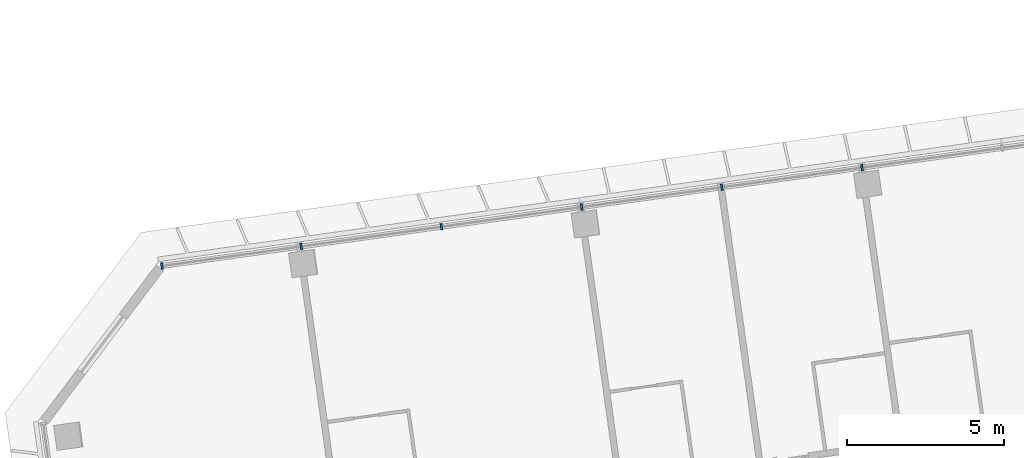
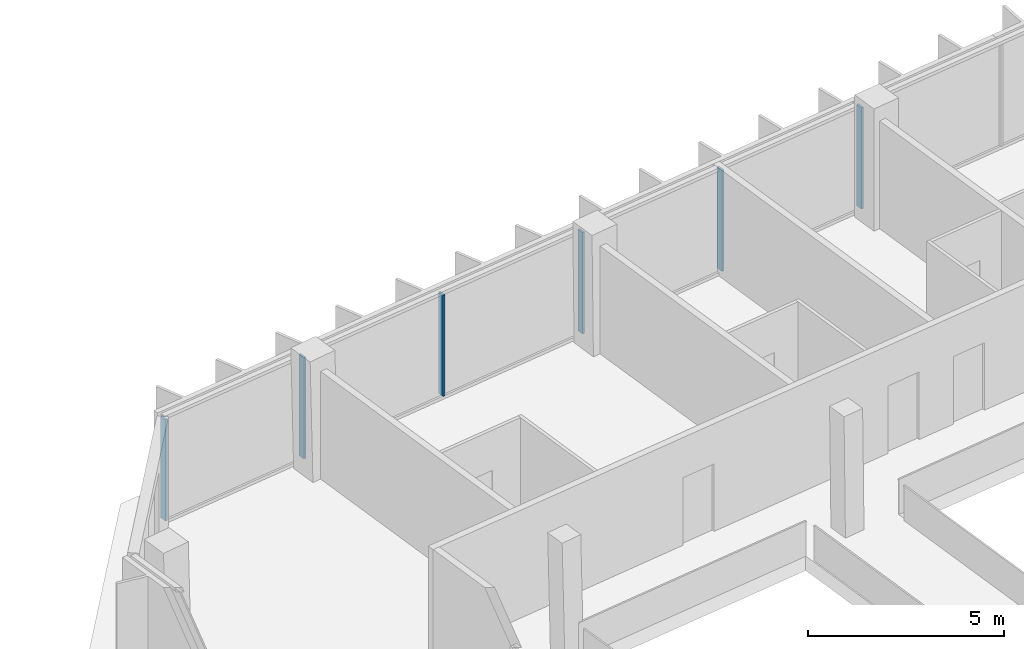
# One storey, part 11 of 28: 6 members, 1 element without a shape of its own.
"""IFC4 building model written with IfcOpenShell, lengths in metres."""

from ifc_helpers import new_model, si_unit, direction, frame, origin, origin_2d, place, context, subcontext, project, spatial, rectangle, extrude, material, material_profile, profile_set, type_object, element, aggregate, save


model = new_model("IFC4")

# Units and contexts
model_context = context("Model", 3, precision=1e-05, world=origin(), true_north=direction((0.0, 1.0)))
body_context = subcontext(model_context, "Body", "Model", "MODEL_VIEW")
ifc_project = project(units=[si_unit("LENGTHUNIT", "METRE"), si_unit("AREAUNIT", "SQUARE_METRE"), si_unit("VOLUMEUNIT", "CUBIC_METRE"), si_unit("PLANEANGLEUNIT", "RADIAN"), si_unit("MASSUNIT", "GRAM", prefix="KILO")], contexts=[model_context])

# Site, building, storey
site_placement = place(None, origin())
site = spatial("IfcSite", under=ifc_project, at=site_placement, CompositionType="ELEMENT")
building_placement = place(site_placement, origin())
building = spatial("IfcBuilding", under=site, at=building_placement, Name="Mirante Cascada Hotel Towers", CompositionType="ELEMENT")
storey_placement = place(building_placement, frame((0.0, 0.0, 165.0)))
storey = spatial("IfcBuildingStorey", under=building, at=storey_placement, Name="L38", CompositionType="ELEMENT", Elevation=165.0)

# Curtain wall, members
ifc_material_1 = material(Name="Aluminium mullion and transom frame with clear laminated glass", Category="aluminium")
curtain_wall_type = type_object("IfcCurtainWallType", Name="Ribbon curtain wall ECW1", PredefinedType="NOTDEFINED", material=ifc_material_1)
curtain_wall_placement = place(storey_placement, origin())
curtain_wall = element("IfcCurtainWall", 1, at=curtain_wall_placement, inside=storey, type_object=curtain_wall_type, Name="Front ribbon wall T2 L38", PredefinedType="NOTDEFINED")
ifc_material_2 = material(Name="Anodised aluminium extrusion", Category="aluminium")
ifc_material_profile = material_profile(ifc_material_2, rectangle(XDim=0.2, YDim=0.065, at=origin_2d()), Name="ECW1 MULLION 65x200")
ifc_profile_set = profile_set([ifc_material_profile], Name="Anodised aluminium extrusion")
member_type = type_object("IfcMemberType", Name="ECW1 mullion 65x200", PredefinedType="MULLION", material=ifc_profile_set)
member_1_placement = place(storey_placement, frame((54.0069, 20.4092, 0.1), z_axis=(0.0, 0.0, 1.0), x_axis=(0.1391731, -0.9902681, 0.0)))
member_1 = element("IfcMember", 2, at=member_1_placement, type_object=member_type, Name="ECW1 mullion 8", PredefinedType="MULLION", context=body_context, shape_type="SweptSolid", body=[
    extrude(rectangle(XDim=0.2, YDim=0.065, at=origin_2d()), origin(), (0.0, 0.0, 1.0), 3.15),
])
member_2_placement = place(storey_placement, frame((49.5442, 19.782, 0.1), z_axis=(0.0, 0.0, 1.0), x_axis=(0.1391731, -0.9902681, 0.0)))
member_2 = element("IfcMember", 3, at=member_2_placement, type_object=member_type, Name="ECW1 mullion 9", PredefinedType="MULLION", context=body_context, shape_type="SweptSolid", body=[
    extrude(rectangle(XDim=0.2, YDim=0.065, at=origin_2d()), origin(), (0.0, 0.0, 1.0), 3.15),
])
member_3_placement = place(storey_placement, frame((45.0815, 19.1548, 0.1), z_axis=(0.0, 0.0, 1.0), x_axis=(0.1391731, -0.9902681, 0.0)))
member_3 = element("IfcMember", 4, at=member_3_placement, type_object=member_type, Name="ECW1 mullion 10", PredefinedType="MULLION", context=body_context, shape_type="SweptSolid", body=[
    extrude(rectangle(XDim=0.2, YDim=0.065, at=origin_2d()), origin(), (0.0, 0.0, 1.0), 3.15),
])
member_4_placement = place(storey_placement, frame((40.6188, 18.5276, 0.1), z_axis=(0.0, 0.0, 1.0), x_axis=(0.1391731, -0.9902681, 0.0)))
member_4 = element("IfcMember", 5, at=member_4_placement, type_object=member_type, Name="ECW1 mullion 11", PredefinedType="MULLION", context=body_context, shape_type="SweptSolid", body=[
    extrude(rectangle(XDim=0.2, YDim=0.065, at=origin_2d()), origin(), (0.0, 0.0, 1.0), 3.15),
])
member_5_placement = place(storey_placement, frame((36.1562, 17.9004, 0.1), z_axis=(0.0, 0.0, 1.0), x_axis=(0.1391731, -0.9902681, 0.0)))
member_5 = element("IfcMember", 6, at=member_5_placement, type_object=member_type, Name="ECW1 mullion 12", PredefinedType="MULLION", context=body_context, shape_type="SweptSolid", body=[
    extrude(rectangle(XDim=0.2, YDim=0.065, at=origin_2d()), origin(), (0.0, 0.0, 1.0), 3.15),
])
member_6_placement = place(storey_placement, frame((31.7256, 17.2778, 0.1), z_axis=(0.0, 0.0, 1.0), x_axis=(0.1391731, -0.9902681, 0.0)))
member_6 = element("IfcMember", 7, at=member_6_placement, type_object=member_type, Name="ECW1 mullion 13", PredefinedType="MULLION", context=body_context, shape_type="SweptSolid", body=[
    extrude(rectangle(XDim=0.2, YDim=0.065, at=origin_2d()), origin(), (0.0, 0.0, 1.0), 3.15),
])
aggregate(curtain_wall, [member_1, member_2, member_3, member_4, member_5, member_6])

save(model, "model.ifc")
